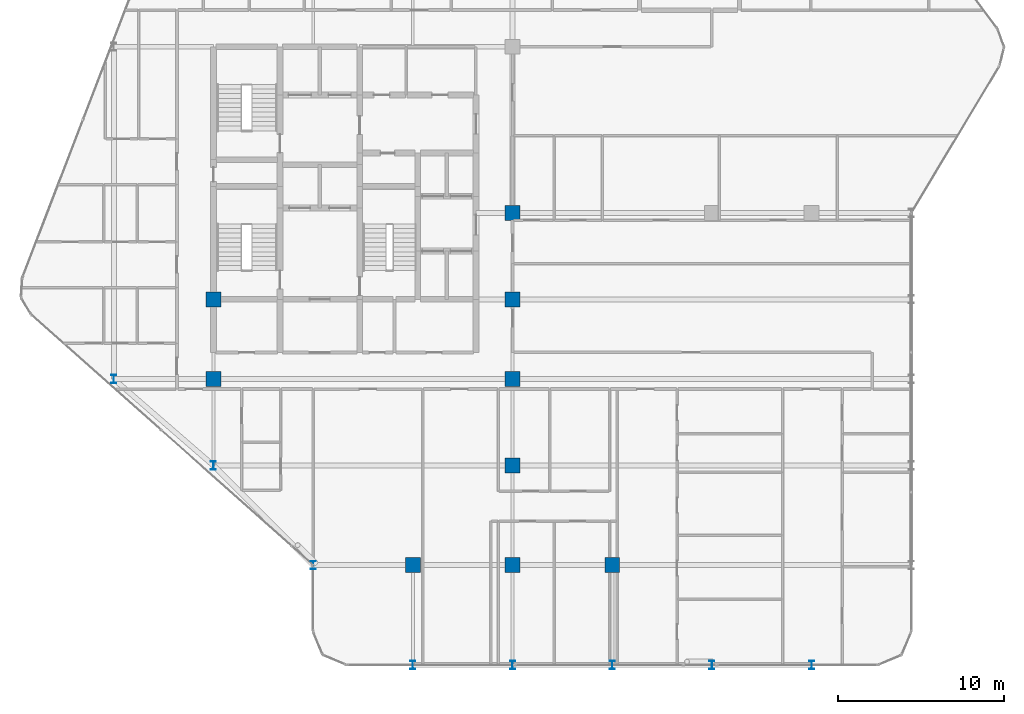
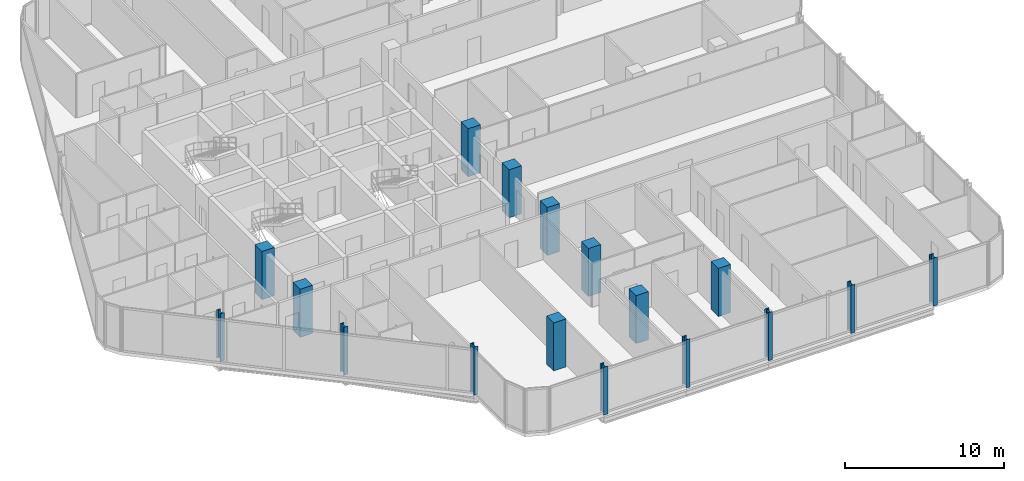
# One storey, part 1 of 31: 17 columns.
"""IFC4 building model written with IfcOpenShell, lengths in metres."""

import ifcopenshell
import ifcopenshell.guid

model = None  # the IFC model being written
_history = None  # IfcOwnerHistory: only IFC2X3 demands one
_inside = {}  # id of a spatial element -> (the spatial element, [elements in it])
_under = {}  # id of a project, library or spatial element -> (it, [spatial elements below it])
_declared = {}  # id of a project -> (the project, [libraries it declares])
_typed = {}  # id of a type object -> (the type object, [elements of that type])
_made_of = {}  # id of a material, layer set ... -> (it, [elements and type objects made of it])


def new_model(schema):
    """Start an empty IFC model of exactly this schema.

    Asked for "IFC4X3", IfcOpenShell would pick the latest addendum, in which some entities
    have other attributes; the version numbers below select the first issue.
    IFC2X3 requires an IfcOwnerHistory on every rooted entity: one is made here for all.
    """
    global model, _history
    if schema == "IFC4X3":
        model = ifcopenshell.file(schema_version=(4, 3, 0, 0))
    else:
        model = ifcopenshell.file(schema=schema)
    _inside.clear()
    _under.clear()
    _declared.clear()
    _typed.clear()
    _made_of.clear()
    _history = None
    if model.schema == "IFC2X3":
        org = make("IfcOrganization", Name="unknown")
        user = make(
            "IfcPersonAndOrganization",
            ThePerson=make("IfcPerson", FamilyName="unknown"),
            TheOrganization=org,
        )
        app = make(
            "IfcApplication",
            ApplicationDeveloper=org,
            Version="unknown",
            ApplicationFullName="unknown",
            ApplicationIdentifier="unknown",
        )
        _history = make(
            "IfcOwnerHistory",
            OwningUser=user,
            OwningApplication=app,
            ChangeAction="ADDED",
            CreationDate=0,
        )
    return model


def make(cls, **values):
    """One entity of the class cls with the attributes given. An attribute that is None is left unset."""
    return model.create_entity(
        cls, **{name: value for name, value in values.items() if value is not None}
    )


def rooted(cls, **values):
    """An entity with a GlobalId (a new one), such as an element, a storey or a relation."""
    return make(cls, GlobalId=ifcopenshell.guid.new(), OwnerHistory=_history, **values)


def si_unit(unit_type, name, prefix=None):
    """IfcSIUnit, for example si_unit("LENGTHUNIT", "METRE", prefix="MILLI")."""
    return make("IfcSIUnit", UnitType=unit_type, Prefix=prefix, Name=name)


def assignment(units):
    """IfcUnitAssignment: the units of a project."""
    return None if units is None else make("IfcUnitAssignment", Units=units)


def point(xyz):
    """IfcCartesianPoint."""
    return None if xyz is None else make("IfcCartesianPoint", Coordinates=xyz)


def direction(xyz):
    """IfcDirection."""
    return None if xyz is None else make("IfcDirection", DirectionRatios=xyz)


def frame(location, z_axis=None, x_axis=None):
    """IfcAxis2Placement3D, a coordinate frame: its origin and axes. An axis left out is left unset."""
    return make(
        "IfcAxis2Placement3D",
        Location=point(location),
        Axis=direction(z_axis),
        RefDirection=direction(x_axis),
    )


def frame_2d(location, x_axis=None):
    """IfcAxis2Placement2D, a coordinate frame in the plane: its origin and x axis."""
    return make(
        "IfcAxis2Placement2D", Location=point(location), RefDirection=direction(x_axis)
    )


def origin():
    """The frame at (0, 0, 0) with its axes left unset."""
    return frame((0.0, 0.0, 0.0))


def origin_2d():
    """The frame at (0, 0) in the plane with its x axis left unset."""
    return frame_2d((0.0, 0.0))


def place(relative_to, where):
    """IfcLocalPlacement: puts the frame where relative to a parent placement (None: the world)."""
    return make(
        "IfcLocalPlacement", PlacementRelTo=relative_to, RelativePlacement=where
    )


def context(
    kind, dimensions, precision=None, world=None, true_north=None, identifier=None
):
    """IfcGeometricRepresentationContext, for example the 3D "Model" context."""
    return make(
        "IfcGeometricRepresentationContext",
        ContextIdentifier=identifier,
        ContextType=kind,
        CoordinateSpaceDimension=dimensions,
        Precision=precision,
        WorldCoordinateSystem=world,
        TrueNorth=true_north,
    )


def subcontext(parent, identifier, kind, view, scale=None):
    """IfcGeometricRepresentationSubContext, for example "Body" below "Model"."""
    return make(
        "IfcGeometricRepresentationSubContext",
        ContextIdentifier=identifier,
        ContextType=kind,
        ParentContext=parent,
        TargetScale=scale,
        TargetView=view,
    )


def project(units=None, contexts=None):
    """IfcProject with its units and contexts."""
    return rooted(
        "IfcProject",
        Name="project",
        RepresentationContexts=contexts,
        UnitsInContext=assignment(units),
    )


def spatial(cls, under=None, at=None, **own):
    """A site, building, storey or space (cls), placed at a placement, below another one or the project."""
    s = rooted(cls, ObjectPlacement=at, **own)
    if under is not None:
        _under.setdefault(under.id(), (under, []))[1].append(s)
    return s


def profile(cls, at=None, kind="AREA", **sizes):
    """A parametric profile (cls). Its sizes go by their IFC names, for example OverallWidth=200.0."""
    return make(cls, ProfileType=kind, Position=at, **sizes)


def rectangle(**sizes):
    """IfcRectangleProfileDef."""
    return profile("IfcRectangleProfileDef", **sizes)


def i_section(**sizes):
    """IfcIShapeProfileDef."""
    return profile("IfcIShapeProfileDef", **sizes)


def extrude(swept, where, along, depth):
    """IfcExtrudedAreaSolid: the profile swept, set in the frame where, extruded along a direction by depth."""
    return make(
        "IfcExtrudedAreaSolid",
        SweptArea=swept,
        Position=where,
        ExtrudedDirection=direction(along),
        Depth=depth,
    )


def shape(context_of_items, identifier, shape_type, items):
    """IfcShapeRepresentation: the items that make up one representation, for example the "Body"."""
    return make(
        "IfcShapeRepresentation",
        ContextOfItems=context_of_items,
        RepresentationIdentifier=identifier,
        RepresentationType=shape_type,
        Items=items,
    )


def material(Name=None, Category=None):
    """IfcMaterial."""
    return make("IfcMaterial", Name=Name, Category=Category)


def material_profile(
    of_material, cross_section, Name=None, Category=None, Priority=None
):
    """IfcMaterialProfile: a cross section and its material."""
    return make(
        "IfcMaterialProfile",
        Name=Name,
        Material=of_material,
        Profile=cross_section,
        Priority=Priority,
        Category=Category,
    )


def profile_set(profiles, Name=None, composite=None):
    """IfcMaterialProfileSet."""
    return make(
        "IfcMaterialProfileSet",
        Name=Name,
        MaterialProfiles=profiles,
        CompositeProfile=composite,
    )


def made_of(thing, what):
    """Note that an element or type object is made of a material, layer set ...; save() writes the relation."""
    if what is not None:
        _made_of.setdefault(what.id(), (what, []))[1].append(thing)
    return thing


def type_object(cls, material=None, **own):
    """A type object (cls), such as IfcWallType, which elements share."""
    return made_of(rooted(cls, **own), material)


def element(
    cls,
    number,
    at=None,
    inside=None,
    cuts=None,
    type_object=None,
    material=None,
    context=None,
    identifier="Body",
    shape_type=None,
    held_by="IfcProductDefinitionShape",
    body=None,
    shapes=None,
    **own,
):
    """One element of the class cls, such as IfcWall. Its Tag is "e" and its number.

    at: its placement. inside: the storey or other place that contains it. cuts: it is an
    opening in that element (IfcRelVoidsElement). A single representation is given by context,
    identifier, shape_type and body (its items); several are given by shapes. held_by: the class
    of the entity that holds the representations. save() writes the other relations.
    """
    e = rooted(cls, Tag="e%d" % number, ObjectPlacement=at, **own)
    if body is not None:
        shapes = [shape(context, identifier, shape_type, body)]
    if shapes is not None:
        e.Representation = make(held_by, Representations=shapes)
    if inside is not None:
        _inside.setdefault(inside.id(), (inside, []))[1].append(e)
    if cuts is not None:
        rooted(
            "IfcRelVoidsElement", RelatingBuildingElement=cuts, RelatedOpeningElement=e
        )
    if type_object is not None:
        _typed.setdefault(type_object.id(), (type_object, []))[1].append(e)
    return made_of(e, material)


def aggregate(whole, parts):
    """IfcRelAggregates: a whole, such as a stair, and the parts it consists of."""
    return rooted("IfcRelAggregates", RelatingObject=whole, RelatedObjects=parts)


def save(model, path):
    """Write the relations noted so far, then the file.

    IfcRelAggregates (storeys below a building ...), IfcRelContainedInSpatialStructure (elements
    in a storey), IfcRelDefinesByType, IfcRelAssociatesMaterial and IfcRelDeclares: one each for
    every whole, place, type object, material and project.
    """
    for whole, parts in _under.values():
        aggregate(whole, parts)
    for where, things in _inside.values():
        rooted(
            "IfcRelContainedInSpatialStructure",
            RelatedElements=things,
            RelatingStructure=where,
        )
    for kind, things in _typed.values():
        rooted("IfcRelDefinesByType", RelatedObjects=things, RelatingType=kind)
    for what, things in _made_of.values():
        rooted("IfcRelAssociatesMaterial", RelatedObjects=things, RelatingMaterial=what)
    for by, libraries in _declared.values():
        rooted("IfcRelDeclares", RelatingContext=by, RelatedDefinitions=libraries)
    model.write(path)


model = new_model("IFC4")

# Units and contexts
model_context = context("Model", 3, precision=1e-05, world=origin(), true_north=direction((0.0, 1.0)))
body_context = subcontext(model_context, "Body", "Model", "MODEL_VIEW")
ifc_project = project(units=[si_unit("LENGTHUNIT", "METRE"), si_unit("AREAUNIT", "SQUARE_METRE"), si_unit("VOLUMEUNIT", "CUBIC_METRE"), si_unit("PLANEANGLEUNIT", "RADIAN"), si_unit("MASSUNIT", "GRAM", prefix="KILO")], contexts=[model_context])

# Site, building, storey
site_placement = place(None, origin())
site = spatial("IfcSite", under=ifc_project, at=site_placement, CompositionType="ELEMENT")
building_placement = place(site_placement, origin())
building = spatial("IfcBuilding", under=site, at=building_placement, Name="Keshet Zoharim Tower", CompositionType="ELEMENT")
storey_placement = place(building_placement, frame((0.0, 0.0, 129.800048828125)))
storey = spatial("IfcBuildingStorey", under=building, at=storey_placement, Name="L31", CompositionType="ELEMENT", Elevation=129.800048828125)

# Columns
ifc_material_1 = material(Name="Steel S355", Category="steel")
ifc_material_profile_1 = material_profile(ifc_material_1, i_section(OverallWidth=0.300048828125, OverallDepth=0.5, WebThickness=0.014404296875, FlangeThickness=0.028076171875, FilletRadius=0.027099609375, at=origin_2d()), Name="HEB500")
ifc_profile_set_1 = profile_set([ifc_material_profile_1], Name="Steel S355")
column_type_1 = type_object("IfcColumnType", Name="COL-HEB500", PredefinedType="COLUMN", material=ifc_profile_set_1)
for number, where, z_axis, x_axis, name in (
    (1, (9.0, 17.89990234375, 0.0), (0.0, 0.0, 1.0), (1.0, 0.0, 0.0), "L31 Column 2D"),
    (2, (15.0, 12.699951171875, 0.0), (0.0, 0.0, 1.0), (1.0, 0.0, 0.0), "L31 Column 3C"),
    (3, (21.0, 6.699951171875, 0.0), (0.0, 0.0, 1.0), (1.0, 0.0, 0.0), "L31 Column 4B"),
    (4, (27.0, 0.699951171875, 0.0), (0.0, 0.0, 1.0), (1.0, 0.0, 0.0), "L31 Column 5A"),
    (5, (33.0, 0.699951171875, 0.0), (0.0, 0.0, 1.0), (1.0, 0.0, 0.0), "L31 Column 6A"),
    (6, (39.0, 0.699951171875, 0.0), (0.0, 0.0, 1.0), (1.0, 0.0, 0.0), "L31 Column 7A"),
    (7, (45.0, 0.699951171875, 0.0), (0.0, 0.0, 1.0), (1.0, 0.0, 0.0), "L31 Column 8A"),
    (8, (51.0, 0.699951171875, 0.0), (0.0, 0.0, 1.0), (1.0, 0.0, 0.0), "L31 Column 9A"),
):
    element("IfcColumn", number, at=place(storey_placement, frame(where, z_axis=z_axis, x_axis=x_axis)), inside=storey, type_object=column_type_1, Name=name, PredefinedType="COLUMN", context=body_context, shape_type="SweptSolid", body=[
        extrude(i_section(OverallWidth=0.300048828125, OverallDepth=0.5, WebThickness=0.014404296875, FlangeThickness=0.028076171875, FilletRadius=0.027099609375, at=origin_2d()), origin(), (0.0, 0.0, 1.0), 3.699951171875),
    ])
ifc_material_2 = material(Name="Concrete C60/75", Category="concrete")
ifc_material_profile_2 = material_profile(ifc_material_2, rectangle(XDim=0.89990234375, YDim=0.89990234375, at=origin_2d()), Name="RC900x900")
ifc_profile_set_2 = profile_set([ifc_material_profile_2], Name="Concrete C60/75")
column_type_2 = type_object("IfcColumnType", Name="COL-RC900", PredefinedType="COLUMN", material=ifc_profile_set_2)
for number, where, z_axis, x_axis, name in (
    (9, (15.0, 17.89990234375, 0.0), (0.0, 0.0, 1.0), (1.0, 0.0, 0.0), "L31 Column 3D"),
    (10, (15.0, 22.699951171875, 0.0), (0.0, 0.0, 1.0), (1.0, 0.0, 0.0), "L31 Column 3E"),
    (11, (27.0, 6.699951171875, 0.0), (0.0, 0.0, 1.0), (1.0, 0.0, 0.0), "L31 Column 5B"),
    (12, (33.0, 6.699951171875, 0.0), (0.0, 0.0, 1.0), (1.0, 0.0, 0.0), "L31 Column 6B"),
    (13, (33.0, 12.699951171875, 0.0), (0.0, 0.0, 1.0), (1.0, 0.0, 0.0), "L31 Column 6C"),
    (14, (33.0, 17.89990234375, 0.0), (0.0, 0.0, 1.0), (1.0, 0.0, 0.0), "L31 Column 6D"),
    (15, (33.0, 22.699951171875, 0.0), (0.0, 0.0, 1.0), (1.0, 0.0, 0.0), "L31 Column 6E"),
    (16, (33.0, 27.89990234375, 0.0), (0.0, 0.0, 1.0), (1.0, 0.0, 0.0), "L31 Column 6F"),
    (17, (39.0, 6.699951171875, 0.0), (0.0, 0.0, 1.0), (1.0, 0.0, 0.0), "L31 Column 7B"),
):
    element("IfcColumn", number, at=place(storey_placement, frame(where, z_axis=z_axis, x_axis=x_axis)), inside=storey, type_object=column_type_2, Name=name, PredefinedType="COLUMN", context=body_context, shape_type="SweptSolid", body=[
        extrude(rectangle(XDim=0.89990234375, YDim=0.89990234375, at=origin_2d()), origin(), (0.0, 0.0, 1.0), 3.699951171875),
    ])

save(model, "model.ifc")
